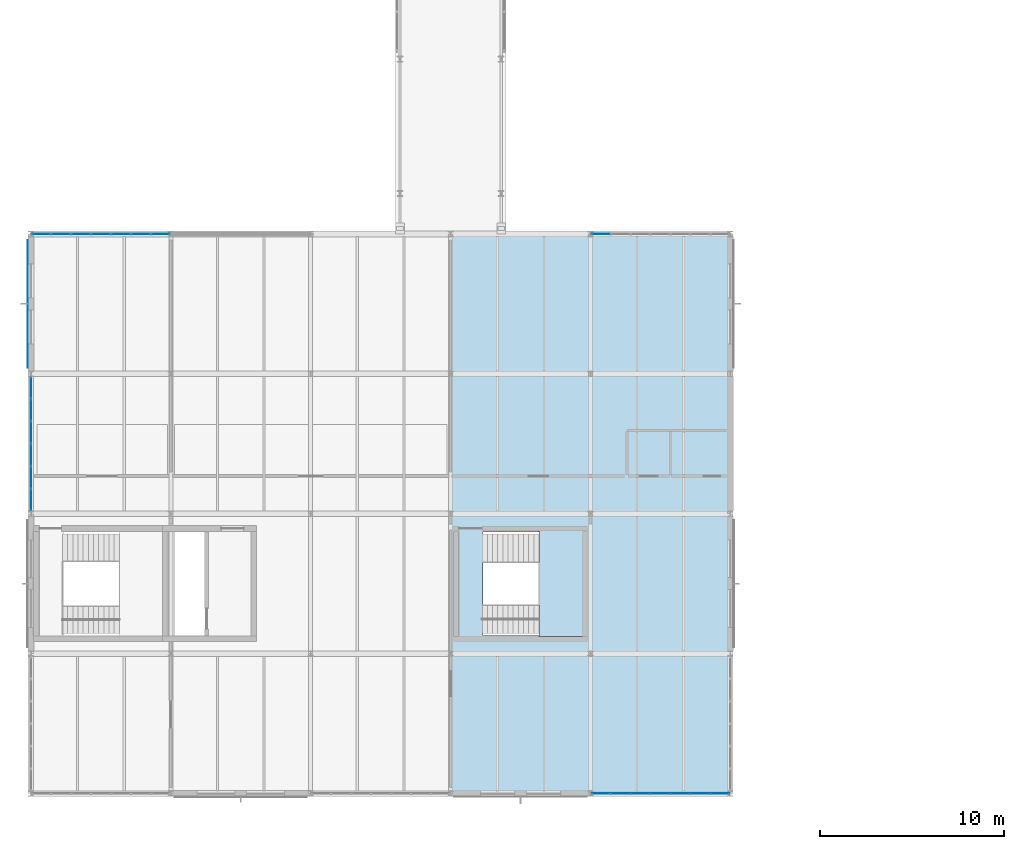
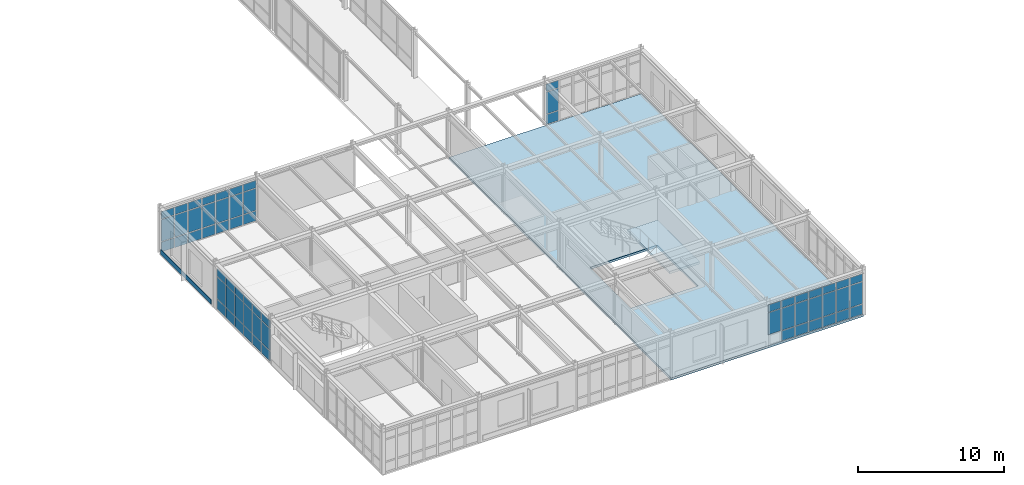
# One storey, part 119 of 165: 63 plates, 2 slabs, 5 elements without a shape of their own.
"""IFC4 building model written with IfcOpenShell, lengths in metres."""

from ifc_helpers import new_model, si_unit, direction, frame, origin, origin_2d, place, context, subcontext, project, spatial, polyline, rectangle, outline, extrude, material, layer, layer_set, type_object, element, aggregate, save


model = new_model("IFC4")

# Units and contexts
model_context = context("Model", 3, precision=1e-05, world=origin(), true_north=direction((0.0, 1.0)))
body_context = subcontext(model_context, "Body", "Model", "MODEL_VIEW")
ifc_project = project(units=[si_unit("LENGTHUNIT", "METRE"), si_unit("AREAUNIT", "SQUARE_METRE"), si_unit("VOLUMEUNIT", "CUBIC_METRE"), si_unit("PLANEANGLEUNIT", "RADIAN"), si_unit("MASSUNIT", "GRAM", prefix="KILO")], contexts=[model_context])

# Site, building, storey
site_placement = place(None, origin())
site = spatial("IfcSite", under=ifc_project, at=site_placement, CompositionType="ELEMENT")
building_placement = place(site_placement, origin())
building = spatial("IfcBuilding", under=site, at=building_placement, Name="Montecoro Central Library", CompositionType="ELEMENT")
storey_placement = place(building_placement, frame((0.0, 0.0, 5.10009765625)))
storey = spatial("IfcBuildingStorey", under=building, at=storey_placement, Name="L01", CompositionType="ELEMENT", Elevation=5.10009765625)

# Curtain wall, plates
ifc_material_1 = material(Name="Bronze-anodised aluminium and low-E glazing", Category="aluminium")
ifc_layer_1 = layer(ifc_material_1, 0.159912109375)
ifc_layer_set_1 = layer_set([ifc_layer_1], Name="Bronze-anodised aluminium and low-E glazing")
curtain_wall_type_1 = type_object("IfcCurtainWallType", Name="CWT-029", PredefinedType="NOTDEFINED", material=ifc_layer_set_1)
curtain_wall_1_placement = place(storey_placement, origin())
curtain_wall_1 = element("IfcCurtainWall", 1, at=curtain_wall_1_placement, inside=storey, type_object=curtain_wall_type_1, Name="V3-L01-CW-S4", PredefinedType="NOTDEFINED")
ifc_material_2 = material(Name="Laminated low-E double glazing", Category="glass")
ifc_layer_2 = layer(ifc_material_2, 0.02587890625)
ifc_layer_set_2 = layer_set([ifc_layer_2], Name="Laminated low-E double glazing")
plate_type_1 = type_object("IfcPlateType", Name="CWP-GLZ-01", PredefinedType="CURTAIN_PANEL", material=ifc_layer_set_2)
plate_1_placement = place(storey_placement, frame((35.961181640625, 5.0, 0.9296875), z_axis=(0.0, 0.0, 1.0), x_axis=(1.0, 0.0, 0.0)))
plate_1 = element("IfcPlate", 2, at=plate_1_placement, type_object=plate_type_1, Name="CW-029 panel 1.2", PredefinedType="CURTAIN_PANEL", context=body_context, shape_type="SweptSolid", body=[
    extrude(rectangle(XDim=0.99462890625, YDim=0.02587890625, at=origin_2d()), origin(), (0.0, 0.0, 1.0), 1.820068359375),
])
plate_2_placement = place(storey_placement, frame((35.961181640625, 5.0, 2.81005859375), z_axis=(0.0, 0.0, 1.0), x_axis=(1.0, 0.0, 0.0)))
plate_2 = element("IfcPlate", 3, at=plate_2_placement, type_object=plate_type_1, Name="CW-029 panel 1.3", PredefinedType="CURTAIN_PANEL", context=body_context, shape_type="SweptSolid", body=[
    extrude(rectangle(XDim=0.99462890625, YDim=0.02587890625, at=origin_2d()), origin(), (0.0, 0.0, 1.0), 0.610107421875),
])
plate_3_placement = place(storey_placement, frame((37.03076171875, 5.0, 0.059814453125), z_axis=(0.0, 0.0, 1.0), x_axis=(1.0, 0.0, 0.0)))
plate_3 = element("IfcPlate", 4, at=plate_3_placement, type_object=plate_type_1, Name="CW-029 panel 2.1", PredefinedType="CURTAIN_PANEL", context=body_context, shape_type="SweptSolid", body=[
    extrude(rectangle(XDim=1.024658203125, YDim=0.02587890625, at=origin_2d()), origin(), (0.0, 0.0, 1.0), 0.81005859375),
])
plate_4_placement = place(storey_placement, frame((37.03076171875, 5.0, 0.9296875), z_axis=(0.0, 0.0, 1.0), x_axis=(1.0, 0.0, 0.0)))
plate_4 = element("IfcPlate", 5, at=plate_4_placement, type_object=plate_type_1, Name="CW-029 panel 2.2", PredefinedType="CURTAIN_PANEL", context=body_context, shape_type="SweptSolid", body=[
    extrude(rectangle(XDim=1.024658203125, YDim=0.02587890625, at=origin_2d()), origin(), (0.0, 0.0, 1.0), 1.820068359375),
])
plate_5_placement = place(storey_placement, frame((37.03076171875, 5.0, 2.81005859375), z_axis=(0.0, 0.0, 1.0), x_axis=(1.0, 0.0, 0.0)))
plate_5 = element("IfcPlate", 6, at=plate_5_placement, type_object=plate_type_1, Name="CW-029 panel 2.3", PredefinedType="CURTAIN_PANEL", context=body_context, shape_type="SweptSolid", body=[
    extrude(rectangle(XDim=1.024658203125, YDim=0.02587890625, at=origin_2d()), origin(), (0.0, 0.0, 1.0), 0.610107421875),
])
plate_6_placement = place(storey_placement, frame((38.115478515625, 5.0, 0.059814453125), z_axis=(0.0, 0.0, 1.0), x_axis=(1.0, 0.0, 0.0)))
plate_6 = element("IfcPlate", 7, at=plate_6_placement, type_object=plate_type_1, Name="CW-029 panel 3.1", PredefinedType="CURTAIN_PANEL", context=body_context, shape_type="SweptSolid", body=[
    extrude(rectangle(XDim=1.024658203125, YDim=0.02587890625, at=origin_2d()), origin(), (0.0, 0.0, 1.0), 0.81005859375),
])
plate_7_placement = place(storey_placement, frame((38.115478515625, 5.0, 0.9296875), z_axis=(0.0, 0.0, 1.0), x_axis=(1.0, 0.0, 0.0)))
plate_7 = element("IfcPlate", 8, at=plate_7_placement, type_object=plate_type_1, Name="CW-029 panel 3.2", PredefinedType="CURTAIN_PANEL", context=body_context, shape_type="SweptSolid", body=[
    extrude(rectangle(XDim=1.024658203125, YDim=0.02587890625, at=origin_2d()), origin(), (0.0, 0.0, 1.0), 1.820068359375),
])
plate_8_placement = place(storey_placement, frame((38.115478515625, 5.0, 2.81005859375), z_axis=(0.0, 0.0, 1.0), x_axis=(1.0, 0.0, 0.0)))
plate_8 = element("IfcPlate", 9, at=plate_8_placement, type_object=plate_type_1, Name="CW-029 panel 3.3", PredefinedType="CURTAIN_PANEL", context=body_context, shape_type="SweptSolid", body=[
    extrude(rectangle(XDim=1.024658203125, YDim=0.02587890625, at=origin_2d()), origin(), (0.0, 0.0, 1.0), 0.610107421875),
])
plate_9_placement = place(storey_placement, frame((39.199951171875, 5.0, 0.059814453125), z_axis=(0.0, 0.0, 1.0), x_axis=(1.0, 0.0, 0.0)))
plate_9 = element("IfcPlate", 10, at=plate_9_placement, type_object=plate_type_1, Name="CW-029 panel 4.1", PredefinedType="CURTAIN_PANEL", context=body_context, shape_type="SweptSolid", body=[
    extrude(rectangle(XDim=1.024658203125, YDim=0.02587890625, at=origin_2d()), origin(), (0.0, 0.0, 1.0), 0.81005859375),
])
plate_10_placement = place(storey_placement, frame((39.199951171875, 5.0, 0.9296875), z_axis=(0.0, 0.0, 1.0), x_axis=(1.0, 0.0, 0.0)))
plate_10 = element("IfcPlate", 11, at=plate_10_placement, type_object=plate_type_1, Name="CW-029 panel 4.2", PredefinedType="CURTAIN_PANEL", context=body_context, shape_type="SweptSolid", body=[
    extrude(rectangle(XDim=1.024658203125, YDim=0.02587890625, at=origin_2d()), origin(), (0.0, 0.0, 1.0), 1.820068359375),
])
plate_11_placement = place(storey_placement, frame((39.199951171875, 5.0, 2.81005859375), z_axis=(0.0, 0.0, 1.0), x_axis=(1.0, 0.0, 0.0)))
plate_11 = element("IfcPlate", 12, at=plate_11_placement, type_object=plate_type_1, Name="CW-029 panel 4.3", PredefinedType="CURTAIN_PANEL", context=body_context, shape_type="SweptSolid", body=[
    extrude(rectangle(XDim=1.024658203125, YDim=0.02587890625, at=origin_2d()), origin(), (0.0, 0.0, 1.0), 0.610107421875),
])
plate_12_placement = place(storey_placement, frame((40.28466796875, 5.0, 0.059814453125), z_axis=(0.0, 0.0, 1.0), x_axis=(1.0, 0.0, 0.0)))
plate_12 = element("IfcPlate", 13, at=plate_12_placement, type_object=plate_type_1, Name="CW-029 panel 5.1", PredefinedType="CURTAIN_PANEL", context=body_context, shape_type="SweptSolid", body=[
    extrude(rectangle(XDim=1.024658203125, YDim=0.02587890625, at=origin_2d()), origin(), (0.0, 0.0, 1.0), 0.81005859375),
])
plate_13_placement = place(storey_placement, frame((40.28466796875, 5.0, 0.9296875), z_axis=(0.0, 0.0, 1.0), x_axis=(1.0, 0.0, 0.0)))
plate_13 = element("IfcPlate", 14, at=plate_13_placement, type_object=plate_type_1, Name="CW-029 panel 5.2", PredefinedType="CURTAIN_PANEL", context=body_context, shape_type="SweptSolid", body=[
    extrude(rectangle(XDim=1.024658203125, YDim=0.02587890625, at=origin_2d()), origin(), (0.0, 0.0, 1.0), 1.820068359375),
])
plate_14_placement = place(storey_placement, frame((40.28466796875, 5.0, 2.81005859375), z_axis=(0.0, 0.0, 1.0), x_axis=(1.0, 0.0, 0.0)))
plate_14 = element("IfcPlate", 15, at=plate_14_placement, type_object=plate_type_1, Name="CW-029 panel 5.3", PredefinedType="CURTAIN_PANEL", context=body_context, shape_type="SweptSolid", body=[
    extrude(rectangle(XDim=1.024658203125, YDim=0.02587890625, at=origin_2d()), origin(), (0.0, 0.0, 1.0), 0.610107421875),
])
plate_15_placement = place(storey_placement, frame((41.369140625, 5.0, 0.059814453125), z_axis=(0.0, 0.0, 1.0), x_axis=(1.0, 0.0, 0.0)))
plate_15 = element("IfcPlate", 16, at=plate_15_placement, type_object=plate_type_1, Name="CW-029 panel 6.1", PredefinedType="CURTAIN_PANEL", context=body_context, shape_type="SweptSolid", body=[
    extrude(rectangle(XDim=1.024658203125, YDim=0.02587890625, at=origin_2d()), origin(), (0.0, 0.0, 1.0), 0.81005859375),
])
plate_16_placement = place(storey_placement, frame((41.369140625, 5.0, 0.9296875), z_axis=(0.0, 0.0, 1.0), x_axis=(1.0, 0.0, 0.0)))
plate_16 = element("IfcPlate", 17, at=plate_16_placement, type_object=plate_type_1, Name="CW-029 panel 6.2", PredefinedType="CURTAIN_PANEL", context=body_context, shape_type="SweptSolid", body=[
    extrude(rectangle(XDim=1.024658203125, YDim=0.02587890625, at=origin_2d()), origin(), (0.0, 0.0, 1.0), 1.820068359375),
])
plate_17_placement = place(storey_placement, frame((41.369140625, 5.0, 2.81005859375), z_axis=(0.0, 0.0, 1.0), x_axis=(1.0, 0.0, 0.0)))
plate_17 = element("IfcPlate", 18, at=plate_17_placement, type_object=plate_type_1, Name="CW-029 panel 6.3", PredefinedType="CURTAIN_PANEL", context=body_context, shape_type="SweptSolid", body=[
    extrude(rectangle(XDim=1.024658203125, YDim=0.02587890625, at=origin_2d()), origin(), (0.0, 0.0, 1.0), 0.610107421875),
])
plate_18_placement = place(storey_placement, frame((42.438720703125, 5.0, 0.059814453125), z_axis=(0.0, 0.0, 1.0), x_axis=(1.0, 0.0, 0.0)))
plate_18 = element("IfcPlate", 19, at=plate_18_placement, type_object=plate_type_1, Name="CW-029 panel 7.1", PredefinedType="CURTAIN_PANEL", context=body_context, shape_type="SweptSolid", body=[
    extrude(rectangle(XDim=0.99462890625, YDim=0.02587890625, at=origin_2d()), origin(), (0.0, 0.0, 1.0), 0.81005859375),
])
plate_19_placement = place(storey_placement, frame((42.438720703125, 5.0, 0.9296875), z_axis=(0.0, 0.0, 1.0), x_axis=(1.0, 0.0, 0.0)))
plate_19 = element("IfcPlate", 20, at=plate_19_placement, type_object=plate_type_1, Name="CW-029 panel 7.2", PredefinedType="CURTAIN_PANEL", context=body_context, shape_type="SweptSolid", body=[
    extrude(rectangle(XDim=0.99462890625, YDim=0.02587890625, at=origin_2d()), origin(), (0.0, 0.0, 1.0), 1.820068359375),
])
plate_20_placement = place(storey_placement, frame((42.438720703125, 5.0, 2.81005859375), z_axis=(0.0, 0.0, 1.0), x_axis=(1.0, 0.0, 0.0)))
plate_20 = element("IfcPlate", 21, at=plate_20_placement, type_object=plate_type_1, Name="CW-029 panel 7.3", PredefinedType="CURTAIN_PANEL", context=body_context, shape_type="SweptSolid", body=[
    extrude(rectangle(XDim=0.99462890625, YDim=0.02587890625, at=origin_2d()), origin(), (0.0, 0.0, 1.0), 0.610107421875),
])
aggregate(curtain_wall_1, [plate_1, plate_2, plate_3, plate_4, plate_5, plate_6, plate_7, plate_8, plate_9, plate_10, plate_11, plate_12, plate_13, plate_14, plate_15, plate_16, plate_17, plate_18, plate_19, plate_20])

ifc_layer_3 = layer(ifc_material_1, 0.159912109375)
ifc_layer_set_3 = layer_set([ifc_layer_3], Name="Bronze-anodised aluminium and low-E glazing")
curtain_wall_type_2 = type_object("IfcCurtainWallType", Name="CWT-031", PredefinedType="NOTDEFINED", material=ifc_layer_set_3)
curtain_wall_2_placement = place(storey_placement, origin())
curtain_wall_2 = element("IfcCurtainWall", 22, at=curtain_wall_2_placement, inside=storey, type_object=curtain_wall_type_2, Name="V3-L01-CW-N4", PredefinedType="NOTDEFINED")
plate_21_placement = place(storey_placement, frame((35.961181640625, 35.39990234375, 0.059814453125), z_axis=(0.0, 0.0, 1.0), x_axis=(-1.0, 0.0, 0.0)))
plate_21 = element("IfcPlate", 23, at=plate_21_placement, type_object=plate_type_1, Name="CW-031 panel 7.1", PredefinedType="CURTAIN_PANEL", context=body_context, shape_type="SweptSolid", body=[
    extrude(rectangle(XDim=0.99462890625, YDim=0.02587890625, at=origin_2d()), origin(), (0.0, 0.0, 1.0), 0.81005859375),
])
plate_22_placement = place(storey_placement, frame((35.961181640625, 35.39990234375, 0.9296875), z_axis=(0.0, 0.0, 1.0), x_axis=(-1.0, 0.0, 0.0)))
plate_22 = element("IfcPlate", 24, at=plate_22_placement, type_object=plate_type_1, Name="CW-031 panel 7.2", PredefinedType="CURTAIN_PANEL", context=body_context, shape_type="SweptSolid", body=[
    extrude(rectangle(XDim=0.99462890625, YDim=0.02587890625, at=origin_2d()), origin(), (0.0, 0.0, 1.0), 1.820068359375),
])
plate_23_placement = place(storey_placement, frame((35.961181640625, 35.39990234375, 2.81005859375), z_axis=(0.0, 0.0, 1.0), x_axis=(-1.0, 0.0, 0.0)))
plate_23 = element("IfcPlate", 25, at=plate_23_placement, type_object=plate_type_1, Name="CW-031 panel 7.3", PredefinedType="CURTAIN_PANEL", context=body_context, shape_type="SweptSolid", body=[
    extrude(rectangle(XDim=0.99462890625, YDim=0.02587890625, at=origin_2d()), origin(), (0.0, 0.0, 1.0), 0.610107421875),
])
aggregate(curtain_wall_2, [plate_21, plate_22, plate_23])

curtain_wall_3_placement = place(storey_placement, origin())
curtain_wall_3 = element("IfcCurtainWall", 26, at=curtain_wall_3_placement, inside=storey, type_object=curtain_wall_type_2, Name="V3-L01-CW-N0", PredefinedType="NOTDEFINED")
ifc_layer_4 = layer(ifc_material_2, 0.030029296875)
ifc_layer_set_4 = layer_set([ifc_layer_4], Name="Laminated low-E double glazing")
plate_type_2 = type_object("IfcPlateType", Name="CWP-GLZ-02", PredefinedType="CURTAIN_PANEL", material=ifc_layer_set_4)
plate_24_placement = place(storey_placement, frame((12.038818359375, 35.39990234375, 0.059814453125), z_axis=(0.0, 0.0, 1.0), x_axis=(-1.0, 0.0, 0.0)))
plate_24 = element("IfcPlate", 27, at=plate_24_placement, type_object=plate_type_2, Name="CW-031 panel 1.1", PredefinedType="CURTAIN_PANEL", context=body_context, shape_type="SweptSolid", body=[
    extrude(rectangle(XDim=0.99462890625, YDim=0.030029296875, at=origin_2d()), origin(), (0.0, 0.0, 1.0), 0.81005859375),
])
plate_25_placement = place(storey_placement, frame((12.038818359375, 35.39990234375, 0.9296875), z_axis=(0.0, 0.0, 1.0), x_axis=(-1.0, 0.0, 0.0)))
plate_25 = element("IfcPlate", 28, at=plate_25_placement, type_object=plate_type_2, Name="CW-031 panel 1.2", PredefinedType="CURTAIN_PANEL", context=body_context, shape_type="SweptSolid", body=[
    extrude(rectangle(XDim=0.99462890625, YDim=0.030029296875, at=origin_2d()), origin(), (0.0, 0.0, 1.0), 1.820068359375),
])
plate_26_placement = place(storey_placement, frame((12.038818359375, 35.39990234375, 2.81005859375), z_axis=(0.0, 0.0, 1.0), x_axis=(-1.0, 0.0, 0.0)))
plate_26 = element("IfcPlate", 29, at=plate_26_placement, type_object=plate_type_2, Name="CW-031 panel 1.3", PredefinedType="CURTAIN_PANEL", context=body_context, shape_type="SweptSolid", body=[
    extrude(rectangle(XDim=0.99462890625, YDim=0.030029296875, at=origin_2d()), origin(), (0.0, 0.0, 1.0), 0.610107421875),
])
plate_27_placement = place(storey_placement, frame((10.96923828125, 35.39990234375, 0.059814453125), z_axis=(0.0, 0.0, 1.0), x_axis=(-1.0, 0.0, 0.0)))
plate_27 = element("IfcPlate", 30, at=plate_27_placement, type_object=plate_type_2, Name="CW-031 panel 2.1", PredefinedType="CURTAIN_PANEL", context=body_context, shape_type="SweptSolid", body=[
    extrude(rectangle(XDim=1.024658203125, YDim=0.030029296875, at=origin_2d()), origin(), (0.0, 0.0, 1.0), 0.81005859375),
])
plate_28_placement = place(storey_placement, frame((10.96923828125, 35.39990234375, 0.9296875), z_axis=(0.0, 0.0, 1.0), x_axis=(-1.0, 0.0, 0.0)))
plate_28 = element("IfcPlate", 31, at=plate_28_placement, type_object=plate_type_2, Name="CW-031 panel 2.2", PredefinedType="CURTAIN_PANEL", context=body_context, shape_type="SweptSolid", body=[
    extrude(rectangle(XDim=1.024658203125, YDim=0.030029296875, at=origin_2d()), origin(), (0.0, 0.0, 1.0), 1.820068359375),
])
plate_29_placement = place(storey_placement, frame((10.96923828125, 35.39990234375, 2.81005859375), z_axis=(0.0, 0.0, 1.0), x_axis=(-1.0, 0.0, 0.0)))
plate_29 = element("IfcPlate", 32, at=plate_29_placement, type_object=plate_type_2, Name="CW-031 panel 2.3", PredefinedType="CURTAIN_PANEL", context=body_context, shape_type="SweptSolid", body=[
    extrude(rectangle(XDim=1.024658203125, YDim=0.030029296875, at=origin_2d()), origin(), (0.0, 0.0, 1.0), 0.610107421875),
])
plate_30_placement = place(storey_placement, frame((9.884521484375, 35.39990234375, 0.059814453125), z_axis=(0.0, 0.0, 1.0), x_axis=(-1.0, 0.0, 0.0)))
plate_30 = element("IfcPlate", 33, at=plate_30_placement, type_object=plate_type_2, Name="CW-031 panel 3.1", PredefinedType="CURTAIN_PANEL", context=body_context, shape_type="SweptSolid", body=[
    extrude(rectangle(XDim=1.024658203125, YDim=0.030029296875, at=origin_2d()), origin(), (0.0, 0.0, 1.0), 0.81005859375),
])
plate_31_placement = place(storey_placement, frame((9.884521484375, 35.39990234375, 0.9296875), z_axis=(0.0, 0.0, 1.0), x_axis=(-1.0, 0.0, 0.0)))
plate_31 = element("IfcPlate", 34, at=plate_31_placement, type_object=plate_type_2, Name="CW-031 panel 3.2", PredefinedType="CURTAIN_PANEL", context=body_context, shape_type="SweptSolid", body=[
    extrude(rectangle(XDim=1.024658203125, YDim=0.030029296875, at=origin_2d()), origin(), (0.0, 0.0, 1.0), 1.820068359375),
])
plate_32_placement = place(storey_placement, frame((9.884521484375, 35.39990234375, 2.81005859375), z_axis=(0.0, 0.0, 1.0), x_axis=(-1.0, 0.0, 0.0)))
plate_32 = element("IfcPlate", 35, at=plate_32_placement, type_object=plate_type_2, Name="CW-031 panel 3.3", PredefinedType="CURTAIN_PANEL", context=body_context, shape_type="SweptSolid", body=[
    extrude(rectangle(XDim=1.024658203125, YDim=0.030029296875, at=origin_2d()), origin(), (0.0, 0.0, 1.0), 0.610107421875),
])
plate_33_placement = place(storey_placement, frame((8.800048828125, 35.39990234375, 0.059814453125), z_axis=(0.0, 0.0, 1.0), x_axis=(-1.0, 0.0, 0.0)))
plate_33 = element("IfcPlate", 36, at=plate_33_placement, type_object=plate_type_2, Name="CW-031 panel 4.1", PredefinedType="CURTAIN_PANEL", context=body_context, shape_type="SweptSolid", body=[
    extrude(rectangle(XDim=1.024658203125, YDim=0.030029296875, at=origin_2d()), origin(), (0.0, 0.0, 1.0), 0.81005859375),
])
plate_34_placement = place(storey_placement, frame((8.800048828125, 35.39990234375, 0.9296875), z_axis=(0.0, 0.0, 1.0), x_axis=(-1.0, 0.0, 0.0)))
plate_34 = element("IfcPlate", 37, at=plate_34_placement, type_object=plate_type_2, Name="CW-031 panel 4.2", PredefinedType="CURTAIN_PANEL", context=body_context, shape_type="SweptSolid", body=[
    extrude(rectangle(XDim=1.024658203125, YDim=0.030029296875, at=origin_2d()), origin(), (0.0, 0.0, 1.0), 1.820068359375),
])
plate_35_placement = place(storey_placement, frame((8.800048828125, 35.39990234375, 2.81005859375), z_axis=(0.0, 0.0, 1.0), x_axis=(-1.0, 0.0, 0.0)))
plate_35 = element("IfcPlate", 38, at=plate_35_placement, type_object=plate_type_2, Name="CW-031 panel 4.3", PredefinedType="CURTAIN_PANEL", context=body_context, shape_type="SweptSolid", body=[
    extrude(rectangle(XDim=1.024658203125, YDim=0.030029296875, at=origin_2d()), origin(), (0.0, 0.0, 1.0), 0.610107421875),
])
plate_36_placement = place(storey_placement, frame((7.71533203125, 35.39990234375, 0.059814453125), z_axis=(0.0, 0.0, 1.0), x_axis=(-1.0, 0.0, 0.0)))
plate_36 = element("IfcPlate", 39, at=plate_36_placement, type_object=plate_type_2, Name="CW-031 panel 5.1", PredefinedType="CURTAIN_PANEL", context=body_context, shape_type="SweptSolid", body=[
    extrude(rectangle(XDim=1.024658203125, YDim=0.030029296875, at=origin_2d()), origin(), (0.0, 0.0, 1.0), 0.81005859375),
])
plate_37_placement = place(storey_placement, frame((7.71533203125, 35.39990234375, 0.9296875), z_axis=(0.0, 0.0, 1.0), x_axis=(-1.0, 0.0, 0.0)))
plate_37 = element("IfcPlate", 40, at=plate_37_placement, type_object=plate_type_2, Name="CW-031 panel 5.2", PredefinedType="CURTAIN_PANEL", context=body_context, shape_type="SweptSolid", body=[
    extrude(rectangle(XDim=1.024658203125, YDim=0.030029296875, at=origin_2d()), origin(), (0.0, 0.0, 1.0), 1.820068359375),
])
plate_38_placement = place(storey_placement, frame((7.71533203125, 35.39990234375, 2.81005859375), z_axis=(0.0, 0.0, 1.0), x_axis=(-1.0, 0.0, 0.0)))
plate_38 = element("IfcPlate", 41, at=plate_38_placement, type_object=plate_type_2, Name="CW-031 panel 5.3", PredefinedType="CURTAIN_PANEL", context=body_context, shape_type="SweptSolid", body=[
    extrude(rectangle(XDim=1.024658203125, YDim=0.030029296875, at=origin_2d()), origin(), (0.0, 0.0, 1.0), 0.610107421875),
])
plate_39_placement = place(storey_placement, frame((6.630859375, 35.39990234375, 0.059814453125), z_axis=(0.0, 0.0, 1.0), x_axis=(-1.0, 0.0, 0.0)))
plate_39 = element("IfcPlate", 42, at=plate_39_placement, type_object=plate_type_2, Name="CW-031 panel 6.1", PredefinedType="CURTAIN_PANEL", context=body_context, shape_type="SweptSolid", body=[
    extrude(rectangle(XDim=1.024658203125, YDim=0.030029296875, at=origin_2d()), origin(), (0.0, 0.0, 1.0), 0.81005859375),
])
plate_40_placement = place(storey_placement, frame((6.630859375, 35.39990234375, 0.9296875), z_axis=(0.0, 0.0, 1.0), x_axis=(-1.0, 0.0, 0.0)))
plate_40 = element("IfcPlate", 43, at=plate_40_placement, type_object=plate_type_2, Name="CW-031 panel 6.2", PredefinedType="CURTAIN_PANEL", context=body_context, shape_type="SweptSolid", body=[
    extrude(rectangle(XDim=1.024658203125, YDim=0.030029296875, at=origin_2d()), origin(), (0.0, 0.0, 1.0), 1.820068359375),
])
plate_41_placement = place(storey_placement, frame((6.630859375, 35.39990234375, 2.81005859375), z_axis=(0.0, 0.0, 1.0), x_axis=(-1.0, 0.0, 0.0)))
plate_41 = element("IfcPlate", 44, at=plate_41_placement, type_object=plate_type_2, Name="CW-031 panel 6.3", PredefinedType="CURTAIN_PANEL", context=body_context, shape_type="SweptSolid", body=[
    extrude(rectangle(XDim=1.024658203125, YDim=0.030029296875, at=origin_2d()), origin(), (0.0, 0.0, 1.0), 0.610107421875),
])
plate_42_placement = place(storey_placement, frame((5.561279296875, 35.39990234375, 0.059814453125), z_axis=(0.0, 0.0, 1.0), x_axis=(-1.0, 0.0, 0.0)))
plate_42 = element("IfcPlate", 45, at=plate_42_placement, type_object=plate_type_2, Name="CW-031 panel 7.1", PredefinedType="CURTAIN_PANEL", context=body_context, shape_type="SweptSolid", body=[
    extrude(rectangle(XDim=0.99462890625, YDim=0.030029296875, at=origin_2d()), origin(), (0.0, 0.0, 1.0), 0.81005859375),
])
plate_43_placement = place(storey_placement, frame((5.561279296875, 35.39990234375, 0.9296875), z_axis=(0.0, 0.0, 1.0), x_axis=(-1.0, 0.0, 0.0)))
plate_43 = element("IfcPlate", 46, at=plate_43_placement, type_object=plate_type_2, Name="CW-031 panel 7.2", PredefinedType="CURTAIN_PANEL", context=body_context, shape_type="SweptSolid", body=[
    extrude(rectangle(XDim=0.99462890625, YDim=0.030029296875, at=origin_2d()), origin(), (0.0, 0.0, 1.0), 1.820068359375),
])
plate_44_placement = place(storey_placement, frame((5.561279296875, 35.39990234375, 2.81005859375), z_axis=(0.0, 0.0, 1.0), x_axis=(-1.0, 0.0, 0.0)))
plate_44 = element("IfcPlate", 47, at=plate_44_placement, type_object=plate_type_2, Name="CW-031 panel 7.3", PredefinedType="CURTAIN_PANEL", context=body_context, shape_type="SweptSolid", body=[
    extrude(rectangle(XDim=0.99462890625, YDim=0.030029296875, at=origin_2d()), origin(), (0.0, 0.0, 1.0), 0.610107421875),
])
aggregate(curtain_wall_3, [plate_24, plate_25, plate_26, plate_27, plate_28, plate_29, plate_30, plate_31, plate_32, plate_33, plate_34, plate_35, plate_36, plate_37, plate_38, plate_39, plate_40, plate_41, plate_42, plate_43, plate_44])

ifc_layer_5 = layer(ifc_material_1, 0.159912109375)
ifc_layer_set_5 = layer_set([ifc_layer_5], Name="Bronze-anodised aluminium and low-E glazing")
curtain_wall_type_3 = type_object("IfcCurtainWallType", Name="CWT-032", PredefinedType="NOTDEFINED", material=ifc_layer_set_5)
curtain_wall_4_placement = place(storey_placement, origin())
curtain_wall_4 = element("IfcCurtainWall", 48, at=curtain_wall_4_placement, inside=storey, type_object=curtain_wall_type_3, Name="V3-L01-CW-W2", PredefinedType="NOTDEFINED")
ifc_layer_6 = layer(ifc_material_2, 0.0380859375)
ifc_layer_set_6 = layer_set([ifc_layer_6], Name="Laminated low-E double glazing")
plate_type_3 = type_object("IfcPlateType", Name="CWP-GLZ-04", PredefinedType="CURTAIN_PANEL", material=ifc_layer_set_6)
plate_45_placement = place(storey_placement, frame((5.0, 27.03662109375, 0.059814453125), z_axis=(0.0, 0.0, 1.0), x_axis=(0.0, -1.0, 0.0)))
plate_45 = element("IfcPlate", 49, at=plate_45_placement, type_object=plate_type_3, Name="CW-032 panel 1.1", PredefinedType="CURTAIN_PANEL", context=body_context, shape_type="SweptSolid", body=[
    extrude(rectangle(XDim=1.130615234375, YDim=0.0380859375, at=origin_2d()), origin(), (0.0, 0.0, 1.0), 0.81005859375),
])
plate_46_placement = place(storey_placement, frame((5.0, 27.03662109375, 0.9296875), z_axis=(0.0, 0.0, 1.0), x_axis=(0.0, -1.0, 0.0)))
plate_46 = element("IfcPlate", 50, at=plate_46_placement, type_object=plate_type_3, Name="CW-032 panel 1.2", PredefinedType="CURTAIN_PANEL", context=body_context, shape_type="SweptSolid", body=[
    extrude(rectangle(XDim=1.130615234375, YDim=0.0380859375, at=origin_2d()), origin(), (0.0, 0.0, 1.0), 1.820068359375),
])
plate_47_placement = place(storey_placement, frame((5.0, 27.03662109375, 2.81005859375), z_axis=(0.0, 0.0, 1.0), x_axis=(0.0, -1.0, 0.0)))
plate_47 = element("IfcPlate", 51, at=plate_47_placement, type_object=plate_type_3, Name="CW-032 panel 1.3", PredefinedType="CURTAIN_PANEL", context=body_context, shape_type="SweptSolid", body=[
    extrude(rectangle(XDim=1.130615234375, YDim=0.0380859375, at=origin_2d()), origin(), (0.0, 0.0, 1.0), 0.610107421875),
])
plate_48_placement = place(storey_placement, frame((5.0, 25.8310546875, 0.059814453125), z_axis=(0.0, 0.0, 1.0), x_axis=(0.0, -1.0, 0.0)))
plate_48 = element("IfcPlate", 52, at=plate_48_placement, type_object=plate_type_3, Name="CW-032 panel 2.1", PredefinedType="CURTAIN_PANEL", context=body_context, shape_type="SweptSolid", body=[
    extrude(rectangle(XDim=1.16064453125, YDim=0.0380859375, at=origin_2d()), origin(), (0.0, 0.0, 1.0), 0.81005859375),
])
plate_49_placement = place(storey_placement, frame((5.0, 25.8310546875, 0.9296875), z_axis=(0.0, 0.0, 1.0), x_axis=(0.0, -1.0, 0.0)))
plate_49 = element("IfcPlate", 53, at=plate_49_placement, type_object=plate_type_3, Name="CW-032 panel 2.2", PredefinedType="CURTAIN_PANEL", context=body_context, shape_type="SweptSolid", body=[
    extrude(rectangle(XDim=1.16064453125, YDim=0.0380859375, at=origin_2d()), origin(), (0.0, 0.0, 1.0), 1.820068359375),
])
plate_50_placement = place(storey_placement, frame((5.0, 25.8310546875, 2.81005859375), z_axis=(0.0, 0.0, 1.0), x_axis=(0.0, -1.0, 0.0)))
plate_50 = element("IfcPlate", 54, at=plate_50_placement, type_object=plate_type_3, Name="CW-032 panel 2.3", PredefinedType="CURTAIN_PANEL", context=body_context, shape_type="SweptSolid", body=[
    extrude(rectangle(XDim=1.16064453125, YDim=0.0380859375, at=origin_2d()), origin(), (0.0, 0.0, 1.0), 0.610107421875),
])
plate_51_placement = place(storey_placement, frame((5.0, 24.6103515625, 0.059814453125), z_axis=(0.0, 0.0, 1.0), x_axis=(0.0, -1.0, 0.0)))
plate_51 = element("IfcPlate", 55, at=plate_51_placement, type_object=plate_type_3, Name="CW-032 panel 3.1", PredefinedType="CURTAIN_PANEL", context=body_context, shape_type="SweptSolid", body=[
    extrude(rectangle(XDim=1.16064453125, YDim=0.0380859375, at=origin_2d()), origin(), (0.0, 0.0, 1.0), 0.81005859375),
])
plate_52_placement = place(storey_placement, frame((5.0, 24.6103515625, 0.9296875), z_axis=(0.0, 0.0, 1.0), x_axis=(0.0, -1.0, 0.0)))
plate_52 = element("IfcPlate", 56, at=plate_52_placement, type_object=plate_type_3, Name="CW-032 panel 3.2", PredefinedType="CURTAIN_PANEL", context=body_context, shape_type="SweptSolid", body=[
    extrude(rectangle(XDim=1.16064453125, YDim=0.0380859375, at=origin_2d()), origin(), (0.0, 0.0, 1.0), 1.820068359375),
])
plate_53_placement = place(storey_placement, frame((5.0, 24.6103515625, 2.81005859375), z_axis=(0.0, 0.0, 1.0), x_axis=(0.0, -1.0, 0.0)))
plate_53 = element("IfcPlate", 57, at=plate_53_placement, type_object=plate_type_3, Name="CW-032 panel 3.3", PredefinedType="CURTAIN_PANEL", context=body_context, shape_type="SweptSolid", body=[
    extrude(rectangle(XDim=1.16064453125, YDim=0.0380859375, at=origin_2d()), origin(), (0.0, 0.0, 1.0), 0.610107421875),
])
plate_54_placement = place(storey_placement, frame((5.0, 23.3896484375, 0.059814453125), z_axis=(0.0, 0.0, 1.0), x_axis=(0.0, -1.0, 0.0)))
plate_54 = element("IfcPlate", 58, at=plate_54_placement, type_object=plate_type_3, Name="CW-032 panel 4.1", PredefinedType="CURTAIN_PANEL", context=body_context, shape_type="SweptSolid", body=[
    extrude(rectangle(XDim=1.16064453125, YDim=0.0380859375, at=origin_2d()), origin(), (0.0, 0.0, 1.0), 0.81005859375),
])
plate_55_placement = place(storey_placement, frame((5.0, 23.3896484375, 0.9296875), z_axis=(0.0, 0.0, 1.0), x_axis=(0.0, -1.0, 0.0)))
plate_55 = element("IfcPlate", 59, at=plate_55_placement, type_object=plate_type_3, Name="CW-032 panel 4.2", PredefinedType="CURTAIN_PANEL", context=body_context, shape_type="SweptSolid", body=[
    extrude(rectangle(XDim=1.16064453125, YDim=0.0380859375, at=origin_2d()), origin(), (0.0, 0.0, 1.0), 1.820068359375),
])
plate_56_placement = place(storey_placement, frame((5.0, 23.3896484375, 2.81005859375), z_axis=(0.0, 0.0, 1.0), x_axis=(0.0, -1.0, 0.0)))
plate_56 = element("IfcPlate", 60, at=plate_56_placement, type_object=plate_type_3, Name="CW-032 panel 4.3", PredefinedType="CURTAIN_PANEL", context=body_context, shape_type="SweptSolid", body=[
    extrude(rectangle(XDim=1.16064453125, YDim=0.0380859375, at=origin_2d()), origin(), (0.0, 0.0, 1.0), 0.610107421875),
])
plate_57_placement = place(storey_placement, frame((5.0, 22.1689453125, 0.059814453125), z_axis=(0.0, 0.0, 1.0), x_axis=(0.0, -1.0, 0.0)))
plate_57 = element("IfcPlate", 61, at=plate_57_placement, type_object=plate_type_3, Name="CW-032 panel 5.1", PredefinedType="CURTAIN_PANEL", context=body_context, shape_type="SweptSolid", body=[
    extrude(rectangle(XDim=1.16064453125, YDim=0.0380859375, at=origin_2d()), origin(), (0.0, 0.0, 1.0), 0.81005859375),
])
plate_58_placement = place(storey_placement, frame((5.0, 22.1689453125, 0.9296875), z_axis=(0.0, 0.0, 1.0), x_axis=(0.0, -1.0, 0.0)))
plate_58 = element("IfcPlate", 62, at=plate_58_placement, type_object=plate_type_3, Name="CW-032 panel 5.2", PredefinedType="CURTAIN_PANEL", context=body_context, shape_type="SweptSolid", body=[
    extrude(rectangle(XDim=1.16064453125, YDim=0.0380859375, at=origin_2d()), origin(), (0.0, 0.0, 1.0), 1.820068359375),
])
plate_59_placement = place(storey_placement, frame((5.0, 22.1689453125, 2.81005859375), z_axis=(0.0, 0.0, 1.0), x_axis=(0.0, -1.0, 0.0)))
plate_59 = element("IfcPlate", 63, at=plate_59_placement, type_object=plate_type_3, Name="CW-032 panel 5.3", PredefinedType="CURTAIN_PANEL", context=body_context, shape_type="SweptSolid", body=[
    extrude(rectangle(XDim=1.16064453125, YDim=0.0380859375, at=origin_2d()), origin(), (0.0, 0.0, 1.0), 0.610107421875),
])
plate_60_placement = place(storey_placement, frame((5.0, 20.96337890625, 0.059814453125), z_axis=(0.0, 0.0, 1.0), x_axis=(0.0, -1.0, 0.0)))
plate_60 = element("IfcPlate", 64, at=plate_60_placement, type_object=plate_type_3, Name="CW-032 panel 6.1", PredefinedType="CURTAIN_PANEL", context=body_context, shape_type="SweptSolid", body=[
    extrude(rectangle(XDim=1.130615234375, YDim=0.0380859375, at=origin_2d()), origin(), (0.0, 0.0, 1.0), 0.81005859375),
])
plate_61_placement = place(storey_placement, frame((5.0, 20.96337890625, 0.9296875), z_axis=(0.0, 0.0, 1.0), x_axis=(0.0, -1.0, 0.0)))
plate_61 = element("IfcPlate", 65, at=plate_61_placement, type_object=plate_type_3, Name="CW-032 panel 6.2", PredefinedType="CURTAIN_PANEL", context=body_context, shape_type="SweptSolid", body=[
    extrude(rectangle(XDim=1.130615234375, YDim=0.0380859375, at=origin_2d()), origin(), (0.0, 0.0, 1.0), 1.820068359375),
])
plate_62_placement = place(storey_placement, frame((5.0, 20.96337890625, 2.81005859375), z_axis=(0.0, 0.0, 1.0), x_axis=(0.0, -1.0, 0.0)))
plate_62 = element("IfcPlate", 66, at=plate_62_placement, type_object=plate_type_3, Name="CW-032 panel 6.3", PredefinedType="CURTAIN_PANEL", context=body_context, shape_type="SweptSolid", body=[
    extrude(rectangle(XDim=1.130615234375, YDim=0.0380859375, at=origin_2d()), origin(), (0.0, 0.0, 1.0), 0.610107421875),
])
aggregate(curtain_wall_4, [plate_45, plate_46, plate_47, plate_48, plate_49, plate_50, plate_51, plate_52, plate_53, plate_54, plate_55, plate_56, plate_57, plate_58, plate_59, plate_60, plate_61, plate_62])

# Plate
ifc_material_3 = material(Name="Architectural bronze spandrel plate", Category="aluminium")
ifc_layer_7 = layer(ifc_material_3, 0.02197265625)
ifc_layer_set_7 = layer_set([ifc_layer_7], Name="Architectural bronze spandrel plate")
plate_type_4 = type_object("IfcPlateType", Name="PLT-SPN-01", PredefinedType="SHEET", material=ifc_layer_set_7)
plate_63_placement = place(storey_placement, frame((4.826416015625, 31.60009765625, 0.159912109375), z_axis=(0.0, 0.0, 1.0), x_axis=(0.0, -1.0, 0.0)))
element("IfcPlate", 67, at=plate_63_placement, inside=storey, type_object=plate_type_4, Name="V3-L01-SPN-W3", PredefinedType="SHEET", context=body_context, shape_type="SweptSolid", body=[
    extrude(rectangle(XDim=6.924072265625, YDim=0.02197265625, at=origin_2d()), origin(), (0.0, 0.0, 1.0), 0.39990234375),
])

# Slab
ifc_material_4 = material(Name="Concrete C32/40", Category="concrete")
ifc_layer_8 = layer(ifc_material_4, 0.179931640625)
ifc_layer_set_8 = layer_set([ifc_layer_8], Name="Concrete C32/40")
slab_type_1 = type_object("IfcSlabType", Name="SL-FLR-180", PredefinedType="FLOOR", material=ifc_layer_set_8)
slab_1_placement = place(storey_placement, frame((0.0, 0.0, -0.18017578125)))
element("IfcSlab", 68, at=slab_1_placement, inside=storey, type_object=slab_type_1, Name="V3-L01-SL3", PredefinedType="FLOOR", context=body_context, shape_type="SweptSolid", body=[
    extrude(outline(polyline([(27.800048828125, 5.0), (43.0, 5.0), (43.0, 35.39990234375), (27.800048828125, 35.39990234375), (27.800048828125, 5.0)]), holes=[polyline([(29.56005859375, 19.199951171875), (34.89990234375, 19.199951171875), (34.89990234375, 13.60009765625), (29.56005859375, 13.60009765625), (29.56005859375, 19.199951171875)])]), origin(), (0.0, 0.0, 1.0), 0.18017578125),
])

# Stair, slab
ifc_material_5 = material(Name="Concrete C35/45", Category="concrete")
stair_type = type_object("IfcStairType", Name="STR-RET-155", PredefinedType="HALF_TURN_STAIR", material=ifc_material_5)
stair_placement = place(storey_placement, origin())
stair = element("IfcStair", 69, at=stair_placement, inside=storey, type_object=stair_type, Name="C11-L01-STR", PredefinedType="HALF_TURN_STAIR")
ifc_layer_9 = layer(ifc_material_5, 0.199951171875)
ifc_layer_set_9 = layer_set([ifc_layer_9], Name="Concrete C35/45")
slab_type_2 = type_object("IfcSlabType", Name="SL-LND-200", PredefinedType="LANDING", material=ifc_layer_set_9)
slab_2_placement = place(storey_placement, frame((0.0, 0.0, 1.83984375)))
slab_2 = element("IfcSlab", 70, at=slab_2_placement, type_object=slab_type_2, Name="ST-11 landing 1", PredefinedType="LANDING", context=body_context, shape_type="SweptSolid", body=[
    extrude(outline(polyline([(32.60009765625, 13.52001953125), (34.97998046875, 13.52001953125), (34.97998046875, 19.280029296875), (32.60009765625, 19.280029296875), (32.60009765625, 13.52001953125)])), origin(), (0.0, 0.0, 1.0), 0.199951171875),
])
aggregate(stair, [slab_2])

save(model, "model.ifc")
